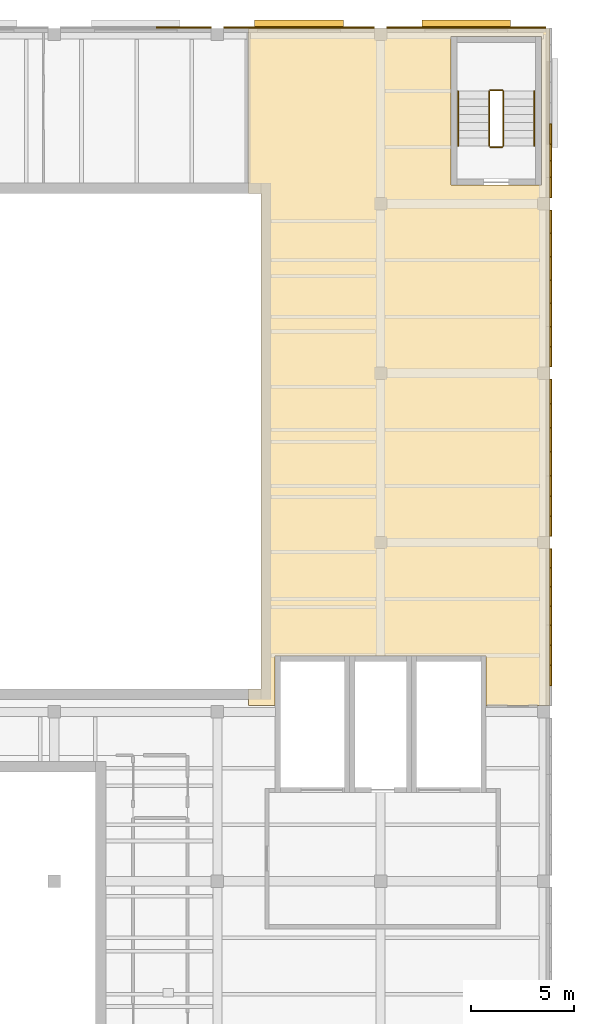
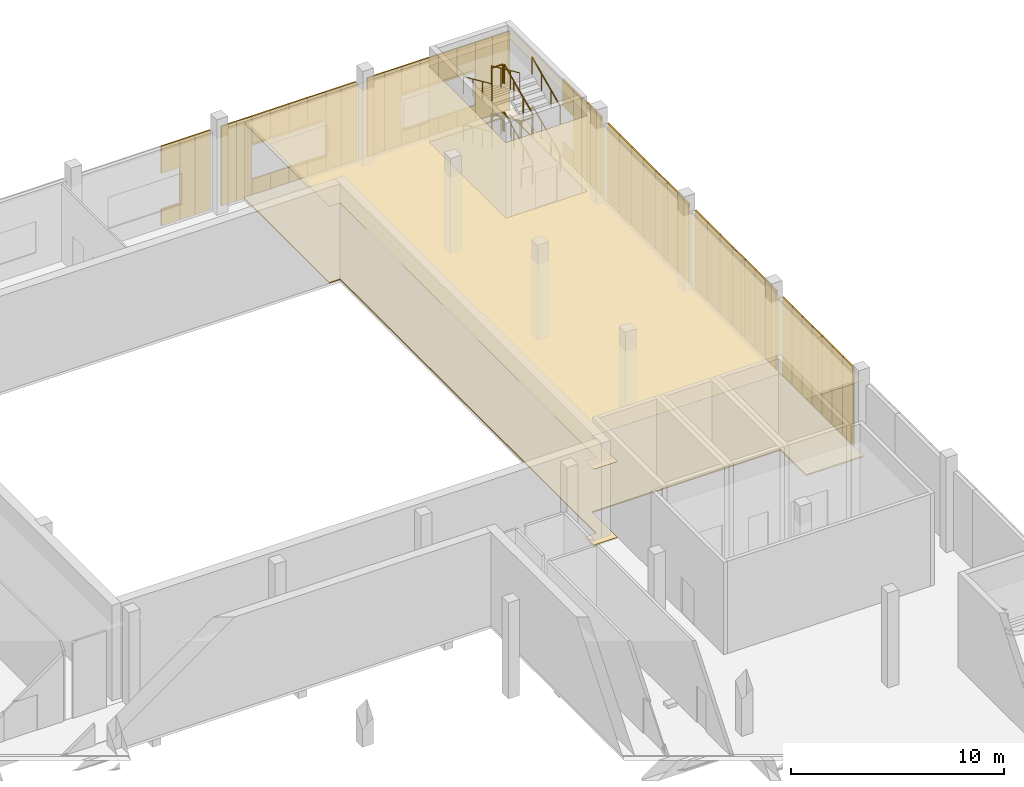
# One storey, part 110 of 112: 56 coverings, 12 railings, 2 shading devices.
"""IFC4 building model written with IfcOpenShell, lengths in metres."""

from ifc_helpers import new_model, si_unit, direction, frame, origin, origin_2d, place, context, subcontext, project, spatial, polyline, rectangle, circle, outline, extrude, material, layer, layer_set, type_object, element, save


model = new_model("IFC4")

# Units and contexts
model_context = context("Model", 3, precision=1e-05, world=origin(), true_north=direction((0.0, 1.0)))
body_context = subcontext(model_context, "Body", "Model", "MODEL_VIEW")
ifc_project = project(units=[si_unit("LENGTHUNIT", "METRE"), si_unit("AREAUNIT", "SQUARE_METRE"), si_unit("VOLUMEUNIT", "CUBIC_METRE"), si_unit("PLANEANGLEUNIT", "RADIAN"), si_unit("MASSUNIT", "GRAM", prefix="KILO")], contexts=[model_context])

# Site, building, storey
site_placement = place(None, origin())
site = spatial("IfcSite", under=ifc_project, at=site_placement, CompositionType="ELEMENT")
building_placement = place(site_placement, origin())
building = spatial("IfcBuilding", under=site, at=building_placement, Name="Lunette Opera House", CompositionType="ELEMENT")
storey_placement = place(building_placement, frame((0.0, 0.0, 6.0)))
storey = spatial("IfcBuildingStorey", under=building, at=storey_placement, Name="L01", CompositionType="ELEMENT", Elevation=6.0)

# Coverings
ifc_material_1 = material(Name="Dark grey aluminium cassette", Category="aluminium")
ifc_layer_1 = layer(ifc_material_1, 0.080078125)
ifc_layer_set_1 = layer_set([ifc_layer_1], Name="Dark grey aluminium cassette")
covering_type_1 = type_object("IfcCoveringType", Name="DARK METAL CASSETTE 80", PredefinedType="CLADDING", material=ifc_layer_set_1)
for number, where, z_axis, x_axis, name in (
    (1, (184.0400390625, 104.662109375, 0.0), (0.0, 0.0, 1.0), (0.0, 1.0, 0.0), "Dark Metal Cassette 80 WK L01"),
    (2, (184.0400390625, 105.637939453125, 0.0), (0.0, 0.0, 1.0), (0.0, 1.0, 0.0), "Dark Metal Cassette 80 WK L01"),
    (3, (184.0400390625, 106.612060546875, 0.0), (0.0, 0.0, 1.0), (0.0, 1.0, 0.0), "Dark Metal Cassette 80 WK L01"),
):
    element("IfcCovering", number, at=place(storey_placement, frame(where, z_axis=z_axis, x_axis=x_axis)), inside=storey, type_object=covering_type_1, Name=name, PredefinedType="CLADDING", context=body_context, shape_type="SweptSolid", body=[
        extrude(rectangle(XDim=0.97509765625, YDim=0.080078125, at=origin_2d()), origin(), (0.0, 0.0, 1.0), 4.550048828125),
    ])
for number, where, z_axis, x_axis, name in (
    (4, (184.0400390625, 107.56201171875, 0.0), (0.0, 0.0, 1.0), (0.0, 1.0, 0.0), "Dark Metal Cassette 80 WK L01"),
    (5, (184.0400390625, 108.487060546875, 0.0), (0.0, 0.0, 1.0), (0.0, 1.0, 0.0), "Dark Metal Cassette 80 WK L01"),
    (6, (184.0400390625, 109.412109375, 0.0), (0.0, 0.0, 1.0), (0.0, 1.0, 0.0), "Dark Metal Cassette 80 WK L01"),
    (7, (184.0400390625, 110.3369140625, 0.0), (0.0, 0.0, 1.0), (0.0, 1.0, 0.0), "Dark Metal Cassette 80 WK L01"),
):
    element("IfcCovering", number, at=place(storey_placement, frame(where, z_axis=z_axis, x_axis=x_axis)), inside=storey, type_object=covering_type_1, Name=name, PredefinedType="CLADDING", context=body_context, shape_type="SweptSolid", body=[
        extrude(rectangle(XDim=0.925048828125, YDim=0.080078125, at=origin_2d()), origin(), (0.0, 0.0, 1.0), 4.550048828125),
    ])
for number, where, z_axis, x_axis, name in (
    (8, (184.0400390625, 111.887939453125, 0.0), (0.0, 0.0, 1.0), (0.0, 1.0, 0.0), "Dark Metal Cassette 80 WK L01"),
    (9, (184.0400390625, 112.863037109375, 0.0), (0.0, 0.0, 1.0), (0.0, 1.0, 0.0), "Dark Metal Cassette 80 WK L01"),
    (10, (184.0400390625, 113.837890625, 0.0), (0.0, 0.0, 1.0), (0.0, 1.0, 0.0), "Dark Metal Cassette 80 WK L01"),
):
    element("IfcCovering", number, at=place(storey_placement, frame(where, z_axis=z_axis, x_axis=x_axis)), inside=storey, type_object=covering_type_1, Name=name, PredefinedType="CLADDING", context=body_context, shape_type="SweptSolid", body=[
        extrude(rectangle(XDim=0.97509765625, YDim=0.080078125, at=origin_2d()), origin(), (0.0, 0.0, 1.0), 4.550048828125),
    ])
for number, where, z_axis, x_axis, name in (
    (11, (184.0400390625, 114.908935546875, 0.0), (0.0, 0.0, 1.0), (0.0, 1.0, 0.0), "Dark Metal Cassette 80 WK L01"),
    (12, (184.0400390625, 116.077880859375, 0.0), (0.0, 0.0, 1.0), (0.0, 1.0, 0.0), "Dark Metal Cassette 80 WK L01"),
    (13, (184.0400390625, 117.2470703125, 0.0), (0.0, 0.0, 1.0), (0.0, 1.0, 0.0), "Dark Metal Cassette 80 WK L01"),
    (14, (184.0400390625, 118.416015625, 0.0), (0.0, 0.0, 1.0), (0.0, 1.0, 0.0), "Dark Metal Cassette 80 WK L01"),
):
    element("IfcCovering", number, at=place(storey_placement, frame(where, z_axis=z_axis, x_axis=x_axis)), inside=storey, type_object=covering_type_1, Name=name, PredefinedType="CLADDING", context=body_context, shape_type="SweptSolid", body=[
        extrude(rectangle(XDim=1.1689453125, YDim=0.080078125, at=origin_2d()), origin(), (0.0, 0.0, 1.0), 4.550048828125),
    ])
for number, where, z_axis, x_axis, name in (
    (15, (184.0400390625, 120.0869140625, 0.0), (0.0, 0.0, 1.0), (0.0, 1.0, 0.0), "Dark Metal Cassette 80 WK L01"),
    (16, (184.0400390625, 121.06201171875, 0.0), (0.0, 0.0, 1.0), (0.0, 1.0, 0.0), "Dark Metal Cassette 80 WK L01"),
):
    element("IfcCovering", number, at=place(storey_placement, frame(where, z_axis=z_axis, x_axis=x_axis)), inside=storey, type_object=covering_type_1, Name=name, PredefinedType="CLADDING", context=body_context, shape_type="SweptSolid", body=[
        extrude(rectangle(XDim=0.97509765625, YDim=0.080078125, at=origin_2d()), origin(), (0.0, 0.0, 1.0), 4.550048828125),
    ])
for number, where, z_axis, x_axis, name in (
    (17, (184.0400390625, 122.114990234375, 0.0), (0.0, 0.0, 1.0), (0.0, 1.0, 0.0), "Dark Metal Cassette 80 WK L01"),
    (18, (184.0400390625, 123.2451171875, 0.0), (0.0, 0.0, 1.0), (0.0, 1.0, 0.0), "Dark Metal Cassette 80 WK L01"),
    (19, (184.0400390625, 124.375, 0.0), (0.0, 0.0, 1.0), (0.0, 1.0, 0.0), "Dark Metal Cassette 80 WK L01"),
    (20, (184.0400390625, 125.5048828125, 0.0), (0.0, 0.0, 1.0), (0.0, 1.0, 0.0), "Dark Metal Cassette 80 WK L01"),
    (21, (184.0400390625, 126.635009765625, 0.0), (0.0, 0.0, 1.0), (0.0, 1.0, 0.0), "Dark Metal Cassette 80 WK L01"),
):
    element("IfcCovering", number, at=place(storey_placement, frame(where, z_axis=z_axis, x_axis=x_axis)), inside=storey, type_object=covering_type_1, Name=name, PredefinedType="CLADDING", context=body_context, shape_type="SweptSolid", body=[
        extrude(rectangle(XDim=1.1298828125, YDim=0.080078125, at=origin_2d()), origin(), (0.0, 0.0, 1.0), 4.550048828125),
    ])
covering_1_placement = place(storey_placement, frame((184.0400390625, 128.287109375, 0.0), z_axis=(0.0, 0.0, 1.0), x_axis=(0.0, 1.0, 0.0)))
element("IfcCovering", 22, at=covering_1_placement, inside=storey, type_object=covering_type_1, Name="Dark Metal Cassette 80 WK L01", PredefinedType="CLADDING", context=body_context, shape_type="SweptSolid", body=[
    extrude(rectangle(XDim=0.97509765625, YDim=0.080078125, at=origin_2d()), origin(), (0.0, 0.0, 1.0), 4.550048828125),
])
for number, where, z_axis, x_axis, name in (
    (23, (184.0400390625, 129.177978515625, 0.0), (0.0, 0.0, 1.0), (0.0, 1.0, 0.0), "Dark Metal Cassette 80 WK L01"),
    (24, (184.0400390625, 129.98388671875, 0.0), (0.0, 0.0, 1.0), (0.0, 1.0, 0.0), "Dark Metal Cassette 80 WK L01"),
):
    element("IfcCovering", number, at=place(storey_placement, frame(where, z_axis=z_axis, x_axis=x_axis)), inside=storey, type_object=covering_type_1, Name=name, PredefinedType="CLADDING", context=body_context, shape_type="SweptSolid", body=[
        extrude(rectangle(XDim=0.805908203125, YDim=0.080078125, at=origin_2d()), origin(), (0.0, 0.0, 1.0), 4.550048828125),
    ])
covering_2_placement = place(storey_placement, frame((184.0400390625, 130.886962890625, 0.0), z_axis=(0.0, 0.0, 1.0), x_axis=(0.0, 1.0, 0.0)))
element("IfcCovering", 25, at=covering_2_placement, inside=storey, type_object=covering_type_1, Name="Dark Metal Cassette 80 WK L01", PredefinedType="CLADDING", context=body_context, shape_type="SweptSolid", body=[
    extrude(rectangle(XDim=1.0, YDim=0.080078125, at=origin_2d()), origin(), (0.0, 0.0, 1.0), 0.949951171875),
])
covering_3_placement = place(storey_placement, frame((184.0400390625, 130.886962890625, 3.0), z_axis=(0.0, 0.0, 1.0), x_axis=(0.0, 1.0, 0.0)))
element("IfcCovering", 26, at=covering_3_placement, inside=storey, type_object=covering_type_1, Name="Dark Metal Cassette 80 WK L01", PredefinedType="CLADDING", context=body_context, shape_type="SweptSolid", body=[
    extrude(rectangle(XDim=1.0, YDim=0.080078125, at=origin_2d()), origin(), (0.0, 0.0, 1.0), 1.550048828125),
])
for number, where, z_axis, x_axis, name in (
    (27, (183.337890625, 136.0400390625, 0.0), (0.0, 0.0, 1.0), (-1.0, 0.0, 0.0), "Dark Metal Cassette 80 WK L01"),
    (28, (182.4130859375, 136.0400390625, 0.0), (0.0, 0.0, 1.0), (-1.0, 0.0, 0.0), "Dark Metal Cassette 80 WK L01"),
):
    element("IfcCovering", number, at=place(storey_placement, frame(where, z_axis=z_axis, x_axis=x_axis)), inside=storey, type_object=covering_type_1, Name=name, PredefinedType="CLADDING", context=body_context, shape_type="SweptSolid", body=[
        extrude(rectangle(XDim=0.925048828125, YDim=0.080078125, at=origin_2d()), origin(), (0.0, 0.0, 1.0), 4.550048828125),
    ])
covering_4_placement = place(storey_placement, frame((181.449951171875, 136.0400390625, 0.0), z_axis=(0.0, 0.0, 1.0), x_axis=(-1.0, 0.0, 0.0)))
element("IfcCovering", 29, at=covering_4_placement, inside=storey, type_object=covering_type_1, Name="Dark Metal Cassette 80 WK L01", PredefinedType="CLADDING", context=body_context, shape_type="SweptSolid", body=[
    extrude(rectangle(XDim=1.0, YDim=0.080078125, at=origin_2d()), origin(), (0.0, 0.0, 1.0), 0.949951171875),
])
covering_5_placement = place(storey_placement, frame((181.449951171875, 136.0400390625, 3.0), z_axis=(0.0, 0.0, 1.0), x_axis=(-1.0, 0.0, 0.0)))
element("IfcCovering", 30, at=covering_5_placement, inside=storey, type_object=covering_type_1, Name="Dark Metal Cassette 80 WK L01", PredefinedType="CLADDING", context=body_context, shape_type="SweptSolid", body=[
    extrude(rectangle(XDim=1.0, YDim=0.080078125, at=origin_2d()), origin(), (0.0, 0.0, 1.0), 1.550048828125),
])
covering_6_placement = place(storey_placement, frame((180.449951171875, 136.0400390625, 0.0), z_axis=(0.0, 0.0, 1.0), x_axis=(-1.0, 0.0, 0.0)))
element("IfcCovering", 31, at=covering_6_placement, inside=storey, type_object=covering_type_1, Name="Dark Metal Cassette 80 WK L01", PredefinedType="CLADDING", context=body_context, shape_type="SweptSolid", body=[
    extrude(rectangle(XDim=1.0, YDim=0.080078125, at=origin_2d()), origin(), (0.0, 0.0, 1.0), 0.949951171875),
])
covering_7_placement = place(storey_placement, frame((180.449951171875, 136.0400390625, 3.0), z_axis=(0.0, 0.0, 1.0), x_axis=(-1.0, 0.0, 0.0)))
element("IfcCovering", 32, at=covering_7_placement, inside=storey, type_object=covering_type_1, Name="Dark Metal Cassette 80 WK L01", PredefinedType="CLADDING", context=body_context, shape_type="SweptSolid", body=[
    extrude(rectangle(XDim=1.0, YDim=0.080078125, at=origin_2d()), origin(), (0.0, 0.0, 1.0), 1.550048828125),
])
covering_8_placement = place(storey_placement, frame((179.449951171875, 136.0400390625, 0.0), z_axis=(0.0, 0.0, 1.0), x_axis=(-1.0, 0.0, 0.0)))
element("IfcCovering", 33, at=covering_8_placement, inside=storey, type_object=covering_type_1, Name="Dark Metal Cassette 80 WK L01", PredefinedType="CLADDING", context=body_context, shape_type="SweptSolid", body=[
    extrude(rectangle(XDim=1.0, YDim=0.080078125, at=origin_2d()), origin(), (0.0, 0.0, 1.0), 0.949951171875),
])
covering_9_placement = place(storey_placement, frame((179.449951171875, 136.0400390625, 3.0), z_axis=(0.0, 0.0, 1.0), x_axis=(-1.0, 0.0, 0.0)))
element("IfcCovering", 34, at=covering_9_placement, inside=storey, type_object=covering_type_1, Name="Dark Metal Cassette 80 WK L01", PredefinedType="CLADDING", context=body_context, shape_type="SweptSolid", body=[
    extrude(rectangle(XDim=1.0, YDim=0.080078125, at=origin_2d()), origin(), (0.0, 0.0, 1.0), 1.550048828125),
])
covering_10_placement = place(storey_placement, frame((178.449951171875, 136.0400390625, 0.0), z_axis=(0.0, 0.0, 1.0), x_axis=(-1.0, 0.0, 0.0)))
element("IfcCovering", 35, at=covering_10_placement, inside=storey, type_object=covering_type_1, Name="Dark Metal Cassette 80 WK L01", PredefinedType="CLADDING", context=body_context, shape_type="SweptSolid", body=[
    extrude(rectangle(XDim=1.0, YDim=0.080078125, at=origin_2d()), origin(), (0.0, 0.0, 1.0), 0.949951171875),
])
covering_11_placement = place(storey_placement, frame((178.449951171875, 136.0400390625, 3.0), z_axis=(0.0, 0.0, 1.0), x_axis=(-1.0, 0.0, 0.0)))
element("IfcCovering", 36, at=covering_11_placement, inside=storey, type_object=covering_type_1, Name="Dark Metal Cassette 80 WK L01", PredefinedType="CLADDING", context=body_context, shape_type="SweptSolid", body=[
    extrude(rectangle(XDim=1.0, YDim=0.080078125, at=origin_2d()), origin(), (0.0, 0.0, 1.0), 1.550048828125),
])
for number, where, z_axis, x_axis, name in (
    (37, (177.488037109375, 136.0400390625, 0.0), (0.0, 0.0, 1.0), (-1.0, 0.0, 0.0), "Dark Metal Cassette 80 WK L01"),
    (38, (176.56201171875, 136.0400390625, 0.0), (0.0, 0.0, 1.0), (-1.0, 0.0, 0.0), "Dark Metal Cassette 80 WK L01"),
):
    element("IfcCovering", number, at=place(storey_placement, frame(where, z_axis=z_axis, x_axis=x_axis)), inside=storey, type_object=covering_type_1, Name=name, PredefinedType="CLADDING", context=body_context, shape_type="SweptSolid", body=[
        extrude(rectangle(XDim=0.925048828125, YDim=0.080078125, at=origin_2d()), origin(), (0.0, 0.0, 1.0), 4.550048828125),
    ])
for number, where, z_axis, x_axis, name in (
    (39, (175.087890625, 136.0400390625, 0.0), (0.0, 0.0, 1.0), (-1.0, 0.0, 0.0), "Dark Metal Cassette 80 WK L01"),
    (40, (174.261962890625, 136.0400390625, 0.0), (0.0, 0.0, 1.0), (-1.0, 0.0, 0.0), "Dark Metal Cassette 80 WK L01"),
):
    element("IfcCovering", number, at=place(storey_placement, frame(where, z_axis=z_axis, x_axis=x_axis)), inside=storey, type_object=covering_type_1, Name=name, PredefinedType="CLADDING", context=body_context, shape_type="SweptSolid", body=[
        extrude(rectangle(XDim=0.824951171875, YDim=0.080078125, at=origin_2d()), origin(), (0.0, 0.0, 1.0), 4.550048828125),
    ])
covering_12_placement = place(storey_placement, frame((173.35009765625, 136.0400390625, 0.0), z_axis=(0.0, 0.0, 1.0), x_axis=(-1.0, 0.0, 0.0)))
element("IfcCovering", 41, at=covering_12_placement, inside=storey, type_object=covering_type_1, Name="Dark Metal Cassette 80 WK L01", PredefinedType="CLADDING", context=body_context, shape_type="SweptSolid", body=[
    extrude(rectangle(XDim=1.0, YDim=0.080078125, at=origin_2d()), origin(), (0.0, 0.0, 1.0), 0.949951171875),
])
covering_13_placement = place(storey_placement, frame((173.35009765625, 136.0400390625, 3.0), z_axis=(0.0, 0.0, 1.0), x_axis=(-1.0, 0.0, 0.0)))
element("IfcCovering", 42, at=covering_13_placement, inside=storey, type_object=covering_type_1, Name="Dark Metal Cassette 80 WK L01", PredefinedType="CLADDING", context=body_context, shape_type="SweptSolid", body=[
    extrude(rectangle(XDim=1.0, YDim=0.080078125, at=origin_2d()), origin(), (0.0, 0.0, 1.0), 1.550048828125),
])
covering_14_placement = place(storey_placement, frame((172.35009765625, 136.0400390625, 0.0), z_axis=(0.0, 0.0, 1.0), x_axis=(-1.0, 0.0, 0.0)))
element("IfcCovering", 43, at=covering_14_placement, inside=storey, type_object=covering_type_1, Name="Dark Metal Cassette 80 WK L01", PredefinedType="CLADDING", context=body_context, shape_type="SweptSolid", body=[
    extrude(rectangle(XDim=1.0, YDim=0.080078125, at=origin_2d()), origin(), (0.0, 0.0, 1.0), 0.949951171875),
])
covering_15_placement = place(storey_placement, frame((172.35009765625, 136.0400390625, 3.0), z_axis=(0.0, 0.0, 1.0), x_axis=(-1.0, 0.0, 0.0)))
element("IfcCovering", 44, at=covering_15_placement, inside=storey, type_object=covering_type_1, Name="Dark Metal Cassette 80 WK L01", PredefinedType="CLADDING", context=body_context, shape_type="SweptSolid", body=[
    extrude(rectangle(XDim=1.0, YDim=0.080078125, at=origin_2d()), origin(), (0.0, 0.0, 1.0), 1.550048828125),
])
covering_16_placement = place(storey_placement, frame((171.35009765625, 136.0400390625, 0.0), z_axis=(0.0, 0.0, 1.0), x_axis=(-1.0, 0.0, 0.0)))
element("IfcCovering", 45, at=covering_16_placement, inside=storey, type_object=covering_type_1, Name="Dark Metal Cassette 80 WK L01", PredefinedType="CLADDING", context=body_context, shape_type="SweptSolid", body=[
    extrude(rectangle(XDim=1.0, YDim=0.080078125, at=origin_2d()), origin(), (0.0, 0.0, 1.0), 0.949951171875),
])
covering_17_placement = place(storey_placement, frame((171.35009765625, 136.0400390625, 3.0), z_axis=(0.0, 0.0, 1.0), x_axis=(-1.0, 0.0, 0.0)))
element("IfcCovering", 46, at=covering_17_placement, inside=storey, type_object=covering_type_1, Name="Dark Metal Cassette 80 WK L01", PredefinedType="CLADDING", context=body_context, shape_type="SweptSolid", body=[
    extrude(rectangle(XDim=1.0, YDim=0.080078125, at=origin_2d()), origin(), (0.0, 0.0, 1.0), 1.550048828125),
])
covering_18_placement = place(storey_placement, frame((170.35009765625, 136.0400390625, 0.0), z_axis=(0.0, 0.0, 1.0), x_axis=(-1.0, 0.0, 0.0)))
element("IfcCovering", 47, at=covering_18_placement, inside=storey, type_object=covering_type_1, Name="Dark Metal Cassette 80 WK L01", PredefinedType="CLADDING", context=body_context, shape_type="SweptSolid", body=[
    extrude(rectangle(XDim=1.0, YDim=0.080078125, at=origin_2d()), origin(), (0.0, 0.0, 1.0), 0.949951171875),
])
covering_19_placement = place(storey_placement, frame((170.35009765625, 136.0400390625, 3.0), z_axis=(0.0, 0.0, 1.0), x_axis=(-1.0, 0.0, 0.0)))
element("IfcCovering", 48, at=covering_19_placement, inside=storey, type_object=covering_type_1, Name="Dark Metal Cassette 80 WK L01", PredefinedType="CLADDING", context=body_context, shape_type="SweptSolid", body=[
    extrude(rectangle(XDim=1.0, YDim=0.080078125, at=origin_2d()), origin(), (0.0, 0.0, 1.0), 1.550048828125),
])
for number, where, z_axis, x_axis, name in (
    (49, (169.43798828125, 136.0400390625, 0.0), (0.0, 0.0, 1.0), (-1.0, 0.0, 0.0), "Dark Metal Cassette 80 WK L01"),
    (50, (168.612060546875, 136.0400390625, 0.0), (0.0, 0.0, 1.0), (-1.0, 0.0, 0.0), "Dark Metal Cassette 80 WK L01"),
    (51, (167.18798828125, 136.0400390625, 0.0), (0.0, 0.0, 1.0), (-1.0, 0.0, 0.0), "Dark Metal Cassette 80 WK L01"),
    (52, (166.362060546875, 136.0400390625, 0.0), (0.0, 0.0, 1.0), (-1.0, 0.0, 0.0), "Dark Metal Cassette 80 WK L01"),
):
    element("IfcCovering", number, at=place(storey_placement, frame(where, z_axis=z_axis, x_axis=x_axis)), inside=storey, type_object=covering_type_1, Name=name, PredefinedType="CLADDING", context=body_context, shape_type="SweptSolid", body=[
        extrude(rectangle(XDim=0.824951171875, YDim=0.080078125, at=origin_2d()), origin(), (0.0, 0.0, 1.0), 4.550048828125),
    ])
covering_20_placement = place(storey_placement, frame((165.449951171875, 136.0400390625, 0.0), z_axis=(0.0, 0.0, 1.0), x_axis=(-1.0, 0.0, 0.0)))
element("IfcCovering", 53, at=covering_20_placement, inside=storey, type_object=covering_type_1, Name="Dark Metal Cassette 80 WK L01", PredefinedType="CLADDING", context=body_context, shape_type="SweptSolid", body=[
    extrude(rectangle(XDim=1.0, YDim=0.080078125, at=origin_2d()), origin(), (0.0, 0.0, 1.0), 0.949951171875),
])
covering_21_placement = place(storey_placement, frame((165.449951171875, 136.0400390625, 3.0), z_axis=(0.0, 0.0, 1.0), x_axis=(-1.0, 0.0, 0.0)))
element("IfcCovering", 54, at=covering_21_placement, inside=storey, type_object=covering_type_1, Name="Dark Metal Cassette 80 WK L01", PredefinedType="CLADDING", context=body_context, shape_type="SweptSolid", body=[
    extrude(rectangle(XDim=1.0, YDim=0.080078125, at=origin_2d()), origin(), (0.0, 0.0, 1.0), 1.550048828125),
])
ifc_material_2 = material(Name="Cement screed")
ifc_layer_2 = layer(ifc_material_2, 0.070068359375)
ifc_layer_set_2 = layer_set([ifc_layer_2], Name="Cement screed")
covering_type_2 = type_object("IfcCoveringType", Name="SCREED FLOOR FINISH 70", PredefinedType="FLOORING", material=ifc_layer_set_2)
covering_22_placement = place(storey_placement, origin())
element("IfcCovering", 55, at=covering_22_placement, inside=storey, type_object=covering_type_2, Name="Floor finish Costume Store", PredefinedType="FLOORING", context=body_context, shape_type="SweptSolid", body=[
    extrude(outline(polyline([(170.699951171875, 105.60009765625), (170.699951171875, 103.199951171875), (169.4130859375, 103.199951171875), (169.4130859375, 104.0), (170.0, 104.0), (170.0, 128.0), (169.4130859375, 128.0), (169.4130859375, 136.0), (184.0, 136.0), (184.0, 103.199951171875), (180.89990234375, 103.199951171875), (180.89990234375, 105.60009765625), (177.300048828125, 105.60009765625), (174.300048828125, 105.60009765625), (170.699951171875, 105.60009765625)]), holes=[polyline([(183.60009765625, 135.60009765625), (179.199951171875, 135.60009765625), (179.199951171875, 128.39990234375), (183.60009765625, 128.39990234375), (183.60009765625, 135.60009765625)])]), origin(), (0.0, 0.0, 1.0), 0.070068359375),
])

# Railings
ifc_material_3 = material(Name="Steel S355", Category="steel")
railing_type_1 = type_object("IfcRailingType", Name="STAIR GUARD 1100", PredefinedType="GUARDRAIL", material=ifc_material_3)
railing_1_placement = place(storey_placement, frame((181.75, 130.300048828125, 0.171875)))
element("IfcRailing", 56, at=railing_1_placement, inside=storey, type_object=railing_type_1, Name="L01 ST19 stair guard 1", PredefinedType="GUARDRAIL", context=body_context, shape_type="SweptSolid", body=[
    extrude(circle(Radius=0.02392578125, at=origin_2d()), frame((0.0, 0.0, 1.076171875), z_axis=(0.0, 0.911129605887, 0.412119935549), x_axis=(-1.0, 0.0, 0.0)), (0.0, 0.0, 1.0), 2.91943359375),
    extrude(circle(Radius=0.02099609375, at=origin_2d()), origin(), (0.0, 0.0, 1.0), 1.052001953125),
    extrude(circle(Radius=0.02099609375, at=origin_2d()), frame((0.0, 0.88671875, 0.401123046875)), (0.0, 0.0, 1.0), 1.052001953125),
    extrude(circle(Radius=0.02099609375, at=origin_2d()), frame((0.0, 1.773193359375, 0.802001953125)), (0.0, 0.0, 1.0), 1.052001953125),
    extrude(circle(Radius=0.02099609375, at=origin_2d()), frame((0.0, 2.659912109375, 1.203125)), (0.0, 0.0, 1.0), 1.052001953125),
])
railing_2_placement = place(storey_placement, frame((181.699951171875, 133.010009765625, 1.375)))
element("IfcRailing", 57, at=railing_2_placement, inside=storey, type_object=railing_type_1, Name="L01 ST19 stair guard 2", PredefinedType="GUARDRAIL", context=body_context, shape_type="SweptSolid", body=[
    extrude(circle(Radius=0.02392578125, at=origin_2d()), frame((0.0, 0.0, 1.076171875), z_axis=(-1.0, 0.0, 0.0), x_axis=(0.0, -1.0, 0.0)), (0.0, 0.0, 1.0), 0.599853515625),
    extrude(circle(Radius=0.02099609375, at=origin_2d()), origin(), (0.0, 0.0, 1.0), 1.052001953125),
    extrude(circle(Radius=0.02099609375, at=origin_2d()), frame((-0.599853515625, 0.0, 0.0)), (0.0, 0.0, 1.0), 1.052001953125),
])
railing_3_placement = place(storey_placement, frame((181.050048828125, 132.9599609375, 1.546875)))
element("IfcRailing", 58, at=railing_3_placement, inside=storey, type_object=railing_type_1, Name="L01 ST19 stair guard 3", PredefinedType="GUARDRAIL", context=body_context, shape_type="SweptSolid", body=[
    extrude(circle(Radius=0.02392578125, at=origin_2d()), frame((0.0, 0.0, 1.076171875), z_axis=(0.0, -0.911129605887, 0.412119935549), x_axis=(1.0, 0.0, 0.0)), (0.0, 0.0, 1.0), 2.91943359375),
    extrude(circle(Radius=0.02099609375, at=origin_2d()), origin(), (0.0, 0.0, 1.0), 1.052001953125),
    extrude(circle(Radius=0.02099609375, at=origin_2d()), frame((0.0, -0.88671875, 0.401123046875)), (0.0, 0.0, 1.0), 1.052001953125),
    extrude(circle(Radius=0.02099609375, at=origin_2d()), frame((0.0, -1.773193359375, 0.802001953125)), (0.0, 0.0, 1.0), 1.052001953125),
    extrude(circle(Radius=0.02099609375, at=origin_2d()), frame((0.0, -2.659912109375, 1.203125)), (0.0, 0.0, 1.0), 1.052001953125),
])
railing_4_placement = place(storey_placement, frame((181.699951171875, 130.25, 2.75)))
element("IfcRailing", 59, at=railing_4_placement, inside=storey, type_object=railing_type_1, Name="L01 ST19 stair guard 4", PredefinedType="GUARDRAIL", context=body_context, shape_type="SweptSolid", body=[
    extrude(circle(Radius=0.02392578125, at=origin_2d()), frame((0.0, 0.0, 1.076171875), z_axis=(-1.0, 0.0, 0.0), x_axis=(0.0, -1.0, 0.0)), (0.0, 0.0, 1.0), 0.599853515625),
    extrude(circle(Radius=0.02099609375, at=origin_2d()), origin(), (0.0, 0.0, 1.0), 1.052001953125),
    extrude(circle(Radius=0.02099609375, at=origin_2d()), frame((-0.599853515625, 0.0, 0.0)), (0.0, 0.0, 1.0), 1.052001953125),
])
railing_5_placement = place(storey_placement, frame((181.75, 130.300048828125, 2.921875)))
element("IfcRailing", 60, at=railing_5_placement, inside=storey, type_object=railing_type_1, Name="L01 ST19 stair guard 5", PredefinedType="GUARDRAIL", context=body_context, shape_type="SweptSolid", body=[
    extrude(circle(Radius=0.02392578125, at=origin_2d()), frame((0.0, 0.0, 1.076171875), z_axis=(0.0, 0.911129605887, 0.412119935549), x_axis=(-1.0, 0.0, 0.0)), (0.0, 0.0, 1.0), 2.91943359375),
    extrude(circle(Radius=0.02099609375, at=origin_2d()), origin(), (0.0, 0.0, 1.0), 1.052001953125),
    extrude(circle(Radius=0.02099609375, at=origin_2d()), frame((0.0, 0.88671875, 0.401123046875)), (0.0, 0.0, 1.0), 1.052001953125),
    extrude(circle(Radius=0.02099609375, at=origin_2d()), frame((0.0, 1.773193359375, 0.802001953125)), (0.0, 0.0, 1.0), 1.052001953125),
    extrude(circle(Radius=0.02099609375, at=origin_2d()), frame((0.0, 2.659912109375, 1.203125)), (0.0, 0.0, 1.0), 1.052001953125),
])
railing_6_placement = place(storey_placement, frame((181.699951171875, 133.010009765625, 4.125)))
element("IfcRailing", 61, at=railing_6_placement, inside=storey, type_object=railing_type_1, Name="L01 ST19 stair guard 6", PredefinedType="GUARDRAIL", context=body_context, shape_type="SweptSolid", body=[
    extrude(circle(Radius=0.02392578125, at=origin_2d()), frame((0.0, 0.0, 1.076171875), z_axis=(-1.0, 0.0, 0.0), x_axis=(0.0, -1.0, 0.0)), (0.0, 0.0, 1.0), 0.599853515625),
    extrude(circle(Radius=0.02099609375, at=origin_2d()), origin(), (0.0, 0.0, 1.0), 1.052001953125),
    extrude(circle(Radius=0.02099609375, at=origin_2d()), frame((-0.599853515625, 0.0, 0.0)), (0.0, 0.0, 1.0), 1.052001953125),
])
railing_7_placement = place(storey_placement, frame((181.050048828125, 132.9599609375, 4.296875)))
element("IfcRailing", 62, at=railing_7_placement, inside=storey, type_object=railing_type_1, Name="L01 ST19 stair guard 7", PredefinedType="GUARDRAIL", context=body_context, shape_type="SweptSolid", body=[
    extrude(circle(Radius=0.02392578125, at=origin_2d()), frame((0.0, 0.0, 1.076171875), z_axis=(0.0, -0.911129605887, 0.412119935549), x_axis=(1.0, 0.0, 0.0)), (0.0, 0.0, 1.0), 2.91943359375),
    extrude(circle(Radius=0.02099609375, at=origin_2d()), origin(), (0.0, 0.0, 1.0), 1.052001953125),
    extrude(circle(Radius=0.02099609375, at=origin_2d()), frame((0.0, -0.88671875, 0.401123046875)), (0.0, 0.0, 1.0), 1.052001953125),
    extrude(circle(Radius=0.02099609375, at=origin_2d()), frame((0.0, -1.773193359375, 0.802001953125)), (0.0, 0.0, 1.0), 1.052001953125),
    extrude(circle(Radius=0.02099609375, at=origin_2d()), frame((0.0, -2.659912109375, 1.203125)), (0.0, 0.0, 1.0), 1.052001953125),
])
railing_8_placement = place(storey_placement, frame((181.699951171875, 130.25, 0.0)))
element("IfcRailing", 63, at=railing_8_placement, inside=storey, type_object=railing_type_1, Name="L01 ST19 stair guard 8", PredefinedType="GUARDRAIL", context=body_context, shape_type="SweptSolid", body=[
    extrude(circle(Radius=0.02392578125, at=origin_2d()), frame((0.0, 0.0, 1.076171875), z_axis=(-1.0, 0.0, 0.0), x_axis=(0.0, -1.0, 0.0)), (0.0, 0.0, 1.0), 0.599853515625),
    extrude(circle(Radius=0.02099609375, at=origin_2d()), origin(), (0.0, 0.0, 1.0), 1.052001953125),
    extrude(circle(Radius=0.02099609375, at=origin_2d()), frame((-0.599853515625, 0.0, 0.0)), (0.0, 0.0, 1.0), 1.052001953125),
])
ifc_material_4 = material(Name="Steel S355", Category="steel")
railing_type_2 = type_object("IfcRailingType", Name="STAIR HANDRAIL 1000", PredefinedType="HANDRAIL", material=ifc_material_4)
railing_9_placement = place(storey_placement, frame((183.25, 130.300048828125, 0.171875)))
element("IfcRailing", 64, at=railing_9_placement, inside=storey, type_object=railing_type_2, Name="L01 ST19 stair handrail 1", PredefinedType="HANDRAIL", context=body_context, shape_type="SweptSolid", body=[
    extrude(circle(Radius=0.02392578125, at=origin_2d()), frame((0.0, 0.0, 0.97607421875), z_axis=(0.0, 0.911129605887, 0.412119935549), x_axis=(-1.0, 0.0, 0.0)), (0.0, 0.0, 1.0), 2.91943359375),
    extrude(circle(Radius=0.02099609375, at=origin_2d()), origin(), (0.0, 0.0, 1.0), 0.951904296875),
    extrude(circle(Radius=0.02099609375, at=origin_2d()), frame((0.0, 0.88671875, 0.401123046875)), (0.0, 0.0, 1.0), 0.951904296875),
    extrude(circle(Radius=0.02099609375, at=origin_2d()), frame((0.0, 1.773193359375, 0.802001953125)), (0.0, 0.0, 1.0), 0.951904296875),
    extrude(circle(Radius=0.02099609375, at=origin_2d()), frame((0.0, 2.659912109375, 1.203125)), (0.0, 0.0, 1.0), 0.951904296875),
])
railing_10_placement = place(storey_placement, frame((179.550048828125, 132.9599609375, 1.546875)))
element("IfcRailing", 65, at=railing_10_placement, inside=storey, type_object=railing_type_2, Name="L01 ST19 stair handrail 2", PredefinedType="HANDRAIL", context=body_context, shape_type="SweptSolid", body=[
    extrude(circle(Radius=0.02392578125, at=origin_2d()), frame((0.0, 0.0, 0.97607421875), z_axis=(0.0, -0.911129605887, 0.412119935549), x_axis=(1.0, 0.0, 0.0)), (0.0, 0.0, 1.0), 2.91943359375),
    extrude(circle(Radius=0.02099609375, at=origin_2d()), origin(), (0.0, 0.0, 1.0), 0.951904296875),
    extrude(circle(Radius=0.02099609375, at=origin_2d()), frame((0.0, -0.88671875, 0.401123046875)), (0.0, 0.0, 1.0), 0.951904296875),
    extrude(circle(Radius=0.02099609375, at=origin_2d()), frame((0.0, -1.773193359375, 0.802001953125)), (0.0, 0.0, 1.0), 0.951904296875),
    extrude(circle(Radius=0.02099609375, at=origin_2d()), frame((0.0, -2.659912109375, 1.203125)), (0.0, 0.0, 1.0), 0.951904296875),
])
railing_11_placement = place(storey_placement, frame((183.25, 130.300048828125, 2.921875)))
element("IfcRailing", 66, at=railing_11_placement, inside=storey, type_object=railing_type_2, Name="L01 ST19 stair handrail 3", PredefinedType="HANDRAIL", context=body_context, shape_type="SweptSolid", body=[
    extrude(circle(Radius=0.02392578125, at=origin_2d()), frame((0.0, 0.0, 0.97607421875), z_axis=(0.0, 0.911129605887, 0.412119935549), x_axis=(-1.0, 0.0, 0.0)), (0.0, 0.0, 1.0), 2.91943359375),
    extrude(circle(Radius=0.02099609375, at=origin_2d()), origin(), (0.0, 0.0, 1.0), 0.951904296875),
    extrude(circle(Radius=0.02099609375, at=origin_2d()), frame((0.0, 0.88671875, 0.401123046875)), (0.0, 0.0, 1.0), 0.951904296875),
    extrude(circle(Radius=0.02099609375, at=origin_2d()), frame((0.0, 1.773193359375, 0.802001953125)), (0.0, 0.0, 1.0), 0.951904296875),
    extrude(circle(Radius=0.02099609375, at=origin_2d()), frame((0.0, 2.659912109375, 1.203125)), (0.0, 0.0, 1.0), 0.951904296875),
])
railing_12_placement = place(storey_placement, frame((179.550048828125, 132.9599609375, 4.296875)))
element("IfcRailing", 67, at=railing_12_placement, inside=storey, type_object=railing_type_2, Name="L01 ST19 stair handrail 4", PredefinedType="HANDRAIL", context=body_context, shape_type="SweptSolid", body=[
    extrude(circle(Radius=0.02392578125, at=origin_2d()), frame((0.0, 0.0, 0.97607421875), z_axis=(0.0, -0.911129605887, 0.412119935549), x_axis=(1.0, 0.0, 0.0)), (0.0, 0.0, 1.0), 2.91943359375),
    extrude(circle(Radius=0.02099609375, at=origin_2d()), origin(), (0.0, 0.0, 1.0), 0.951904296875),
    extrude(circle(Radius=0.02099609375, at=origin_2d()), frame((0.0, -0.88671875, 0.401123046875)), (0.0, 0.0, 1.0), 0.951904296875),
    extrude(circle(Radius=0.02099609375, at=origin_2d()), frame((0.0, -1.773193359375, 0.802001953125)), (0.0, 0.0, 1.0), 0.951904296875),
    extrude(circle(Radius=0.02099609375, at=origin_2d()), frame((0.0, -2.659912109375, 1.203125)), (0.0, 0.0, 1.0), 0.951904296875),
])

# Covering
ifc_material_5 = material(Name="Mineral fibre board")
ifc_layer_3 = layer(ifc_material_5, 0.014892578125)
ifc_layer_set_3 = layer_set([ifc_layer_3], Name="Mineral fibre board")
covering_type_3 = type_object("IfcCoveringType", Name="SUSPENDED ACOUSTIC CEILING 15", PredefinedType="CEILING", material=ifc_layer_set_3)
covering_23_placement = place(storey_placement, frame((0.0, 0.0, 4.385009765625)))
element("IfcCovering", 68, at=covering_23_placement, inside=storey, type_object=covering_type_3, Name="Ceiling Costume Store", PredefinedType="CEILING", context=body_context, shape_type="SweptSolid", body=[
    extrude(outline(polyline([(170.699951171875, 105.60009765625), (170.699951171875, 103.199951171875), (169.4130859375, 103.199951171875), (169.4130859375, 104.0), (170.0, 104.0), (170.0, 128.0), (169.4130859375, 128.0), (169.4130859375, 136.0), (184.0, 136.0), (184.0, 103.199951171875), (180.89990234375, 103.199951171875), (180.89990234375, 105.60009765625), (177.300048828125, 105.60009765625), (174.300048828125, 105.60009765625), (170.699951171875, 105.60009765625)]), holes=[polyline([(183.60009765625, 135.60009765625), (179.199951171875, 135.60009765625), (179.199951171875, 128.39990234375), (183.60009765625, 128.39990234375), (183.60009765625, 135.60009765625)])]), origin(), (0.0, 0.0, 1.0), 0.014892578125),
])

# Shading devices
ifc_material_6 = material(Name="Powder-coated aluminium", Category="aluminium")
ifc_layer_4 = layer(ifc_material_6, 0.1201171875)
ifc_layer_set_4 = layer_set([ifc_layer_4], Name="Powder-coated aluminium")
shading_device_type = type_object("IfcShadingDeviceType", Name="WINDOW HOOD 400 X 4300", PredefinedType="USERDEFINED", material=ifc_layer_set_4)
for number, where, z_axis, x_axis, name in (
    (69, (179.949951171875, 136.199951171875, 2.8798828125), (0.0, 0.0, 1.0), (0.0, 1.0, 0.0), "Window hood WW-N2003"),
    (70, (171.85009765625, 136.199951171875, 2.8798828125), (0.0, 0.0, 1.0), (0.0, 1.0, 0.0), "Window hood WW-N2004"),
):
    element("IfcShadingDevice", number, at=place(storey_placement, frame(where, z_axis=z_axis, x_axis=x_axis)), inside=storey, type_object=shading_device_type, Name=name, ObjectType="WINDOW HOOD", PredefinedType="USERDEFINED", context=body_context, shape_type="SweptSolid", body=[
        extrude(rectangle(XDim=0.39990234375, YDim=4.300048828125, at=origin_2d()), origin(), (0.0, 0.0, 1.0), 0.1201171875),
    ])

save(model, "model.ifc")
